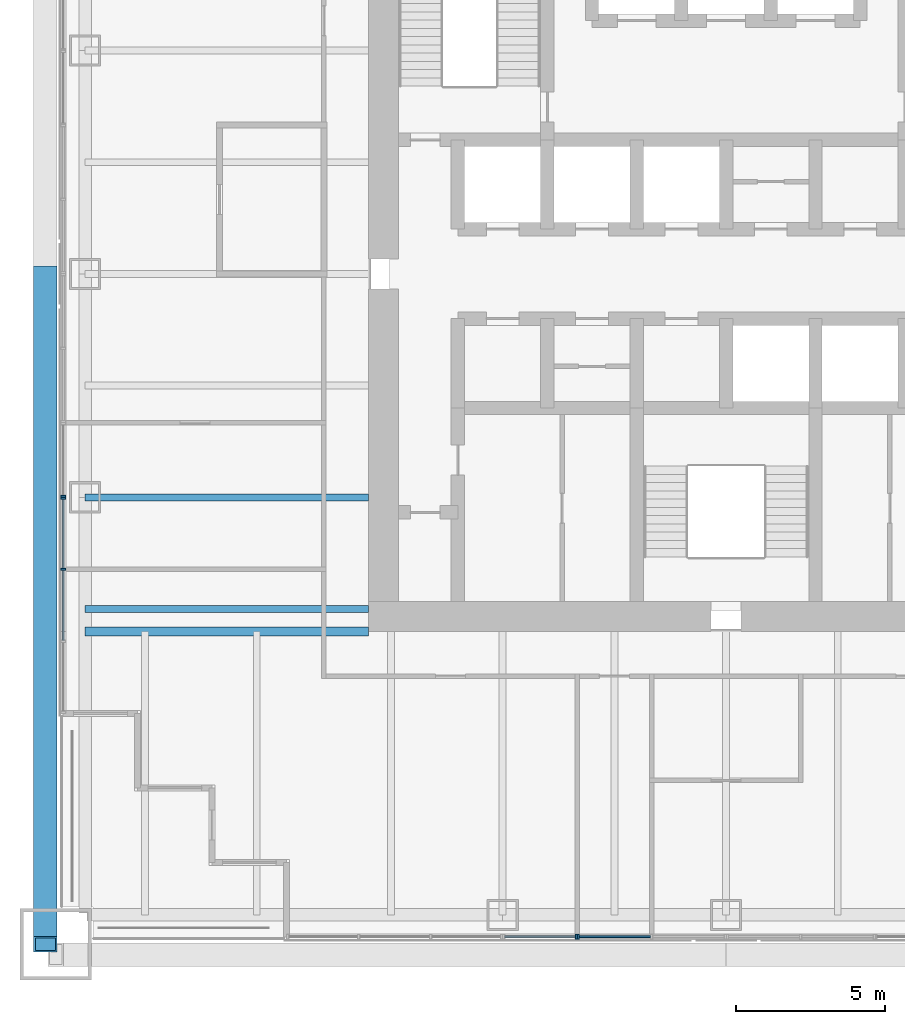
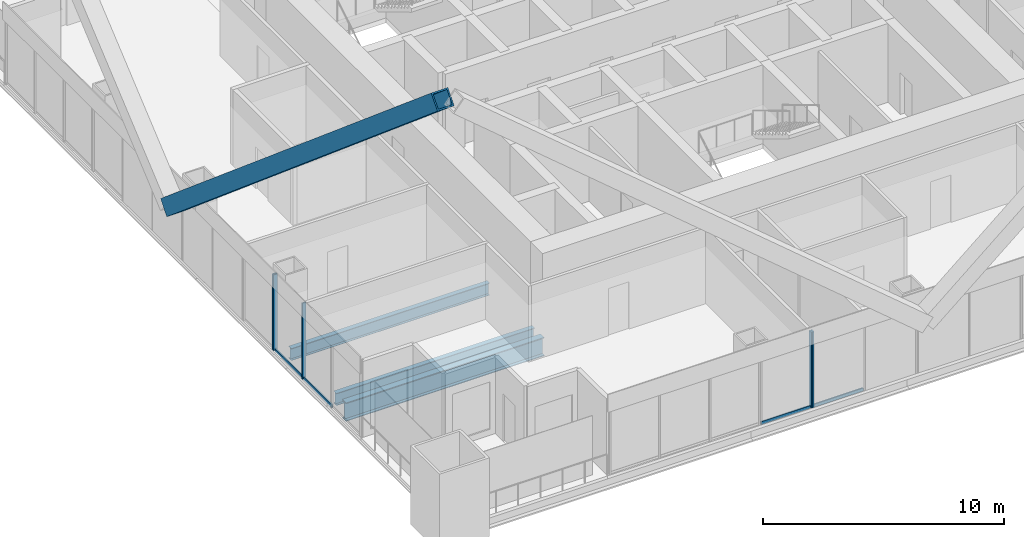
# One storey, part 3 of 19: 10 members, 3 beams, 4 elements without a shape of their own.
"""IFC4 building model written with IfcOpenShell, lengths in metres."""

from ifc_helpers import new_model, si_unit, direction, frame, origin, origin_2d, place, context, subcontext, project, spatial, rectangle, hollow_rectangle, i_section, extrude, material, material_profile, profile_set, type_object, element, aggregate, save


model = new_model("IFC4")

# Units and contexts
model_context = context("Model", 3, precision=1e-05, world=origin(), true_north=direction((0.0, 1.0)))
body_context = subcontext(model_context, "Body", "Model", "MODEL_VIEW")
ifc_project = project(units=[si_unit("LENGTHUNIT", "METRE"), si_unit("AREAUNIT", "SQUARE_METRE"), si_unit("VOLUMEUNIT", "CUBIC_METRE"), si_unit("PLANEANGLEUNIT", "RADIAN"), si_unit("MASSUNIT", "GRAM", prefix="KILO")], contexts=[model_context])

# Site, building, storey
site_placement = place(None, origin())
site = spatial("IfcSite", under=ifc_project, at=site_placement, CompositionType="ELEMENT")
building_placement = place(site_placement, origin())
building = spatial("IfcBuilding", under=site, at=building_placement, Name="Tarangal Relay Tower", CompositionType="ELEMENT")
storey_placement = place(building_placement, frame((0.0, 0.0, 193.89990234375)))
storey = spatial("IfcBuildingStorey", under=building, at=storey_placement, Name="L40", CompositionType="ELEMENT", Elevation=193.89990234375)

# Beams
ifc_material_1 = material(Name="Steel ASTM A992", Category="steel")
ifc_material_profile_1 = material_profile(ifc_material_1, i_section(OverallWidth=0.307373046875, OverallDepth=0.9423828125, WebThickness=0.022216796875, FlangeThickness=0.039794921875, at=origin_2d()), Name="W36X232")
ifc_profile_set_1 = profile_set([ifc_material_profile_1], Name="Steel ASTM A992")
beam_type_1 = type_object("IfcBeamType", Name="Corner girder W36X232", PredefinedType="BEAM", material=ifc_profile_set_1)
beam_placement = place(storey_placement, frame((-12.0, -12.0, -0.62109375), z_axis=(-1.0, 0.0, 0.0), x_axis=(0.0, -1.0, 0.0)))
element("IfcBeam", 1, at=beam_placement, inside=storey, type_object=beam_type_1, Name="Corner girder CG4 S L40", PredefinedType="BEAM", context=body_context, shape_type="SweptSolid", body=[
    extrude(i_section(OverallWidth=0.307373046875, OverallDepth=0.9423828125, WebThickness=0.022216796875, FlangeThickness=0.039794921875, at=origin_2d()), origin(), (0.0, 0.0, 1.0), 9.514892578125),
])
ifc_material_profile_2 = material_profile(ifc_material_1, i_section(OverallWidth=0.22900390625, OverallDepth=0.612060546875, WebThickness=0.011962890625, FlangeThickness=0.01953125, at=origin_2d()), Name="W24X84")
ifc_profile_set_2 = profile_set([ifc_material_profile_2], Name="Steel ASTM A992")
beam_type_2 = type_object("IfcBeamType", Name="Floor beam W24X84", PredefinedType="BEAM", material=ifc_profile_set_2)
for number, where, z_axis, x_axis, name in (
    (2, (-12.0, -11.25, -0.455810546875), (-1.0, 0.0, 0.0), (0.0, -1.0, 0.0), "Floor beam RB12 W L40"),
    (3, (-12.0, -7.5, -0.455810546875), (-1.0, 0.0, 0.0), (0.0, -1.0, 0.0), "Floor beam RB12 W L40"),
):
    element("IfcBeam", number, at=place(storey_placement, frame(where, z_axis=z_axis, x_axis=x_axis)), inside=storey, type_object=beam_type_2, Name=name, PredefinedType="BEAM", context=body_context, shape_type="SweptSolid", body=[
        extrude(i_section(OverallWidth=0.22900390625, OverallDepth=0.612060546875, WebThickness=0.011962890625, FlangeThickness=0.01953125, at=origin_2d()), origin(), (0.0, 0.0, 1.0), 9.514892578125),
    ])

# Member
ifc_material_2 = material(Name="Steel ASTM A572 Grade 50", Category="steel")
ifc_material_profile_3 = material_profile(ifc_material_2, hollow_rectangle(XDim=0.800048828125, YDim=0.800048828125, WallThickness=0.06494140625, at=origin_2d()), Name="BOX800X800X65")
ifc_profile_set_3 = profile_set([ifc_material_profile_3], Name="Steel ASTM A572 Grade 50")
member_type_1 = type_object("IfcMemberType", Name="Mega brace BOX800X800X65", PredefinedType="BRACE", material=ifc_profile_set_3)
member_1_placement = place(storey_placement, frame((-22.85009765625, 0.0, 3.0), z_axis=(0.0, -0.764029915847, 0.645180817826), x_axis=(1.0, 0.0, 0.0)))
element("IfcMember", 4, at=member_1_placement, inside=storey, type_object=member_type_1, Name="Mega brace MB3 W face module 1", PredefinedType="BRACE", context=body_context, shape_type="SweptSolid", body=[
    extrude(hollow_rectangle(XDim=0.800048828125, YDim=0.800048828125, WallThickness=0.06494140625, at=origin_2d()), origin(), (0.0, 0.0, 1.0), 29.44921875),
])

# Curtain wall, member
ifc_material_3 = material(Name="Unitised curtain wall, dark glass and black aluminium", Category="aluminium")
curtain_wall_type_1 = type_object("IfcCurtainWallType", Name="Curtain wall CW-A", PredefinedType="USERDEFINED", material=ifc_material_3)
curtain_wall_1_placement = place(storey_placement, origin())
curtain_wall_1 = element("IfcCurtainWall", 5, at=curtain_wall_1_placement, inside=storey, type_object=curtain_wall_type_1, Name="Curtain wall CW-A S facade L40", ObjectType="UNITISED CURTAIN WALL", PredefinedType="USERDEFINED")
ifc_material_4 = material(Name="Black anodised aluminium mullion", Category="aluminium")
ifc_material_profile_4 = material_profile(ifc_material_4, rectangle(XDim=0.175048828125, YDim=0.06494140625, at=origin_2d()), Name="CW-AM 65X175")
ifc_profile_set_4 = profile_set([ifc_material_profile_4], Name="Black anodised aluminium mullion")
member_type_2 = type_object("IfcMemberType", Name="Mullion CW-A 65 x 175", PredefinedType="MULLION", material=ifc_profile_set_4)
member_2_placement = place(storey_placement, frame((-5.032470703125, -22.25, 0.0), z_axis=(0.0, 0.0, 1.0), x_axis=(0.0, -1.0, 0.0)))
member_2 = element("IfcMember", 6, at=member_2_placement, type_object=member_type_2, Name="CW-A mullion 1", PredefinedType="MULLION", context=body_context, shape_type="SweptSolid", body=[
    extrude(rectangle(XDim=0.175048828125, YDim=0.06494140625, at=origin_2d()), origin(), (0.0, 0.0, 1.0), 3.85009765625),
])

# Curtain wall, members
curtain_wall_2_placement = place(storey_placement, origin())
curtain_wall_2 = element("IfcCurtainWall", 7, at=curtain_wall_2_placement, inside=storey, type_object=curtain_wall_type_1, Name="Curtain wall CW-A W facade L40", ObjectType="UNITISED CURTAIN WALL", PredefinedType="USERDEFINED")
member_3_placement = place(storey_placement, frame((-22.25, -9.916748046875, 0.0), z_axis=(0.0, 0.0, 1.0), x_axis=(-1.0, 0.0, 0.0)))
member_3 = element("IfcMember", 8, at=member_3_placement, type_object=member_type_2, Name="CW-A mullion 3", PredefinedType="MULLION", context=body_context, shape_type="SweptSolid", body=[
    extrude(rectangle(XDim=0.175048828125, YDim=0.06494140625, at=origin_2d()), origin(), (0.0, 0.0, 1.0), 3.85009765625),
])
member_4_placement = place(storey_placement, frame((-22.25, -7.532470703125, 0.0), z_axis=(0.0, 0.0, 1.0), x_axis=(-1.0, 0.0, 0.0)))
member_4 = element("IfcMember", 9, at=member_4_placement, type_object=member_type_2, Name="CW-A mullion 4", PredefinedType="MULLION", context=body_context, shape_type="SweptSolid", body=[
    extrude(rectangle(XDim=0.175048828125, YDim=0.06494140625, at=origin_2d()), origin(), (0.0, 0.0, 1.0), 3.85009765625),
])

# Curtain wall, member
curtain_wall_3_placement = place(storey_placement, origin())
curtain_wall_3 = element("IfcCurtainWall", 10, at=curtain_wall_3_placement, inside=storey, type_object=curtain_wall_type_1, Name="Curtain wall CW-A W facade L40", ObjectType="UNITISED CURTAIN WALL", PredefinedType="USERDEFINED")
member_5_placement = place(storey_placement, frame((-22.25, -7.467529296875, 0.0), z_axis=(0.0, 0.0, 1.0), x_axis=(-1.0, 0.0, 0.0)))
member_5 = element("IfcMember", 11, at=member_5_placement, type_object=member_type_2, Name="CW-A mullion 1", PredefinedType="MULLION", context=body_context, shape_type="SweptSolid", body=[
    extrude(rectangle(XDim=0.175048828125, YDim=0.06494140625, at=origin_2d()), origin(), (0.0, 0.0, 1.0), 3.85009765625),
])
aggregate(curtain_wall_3, [member_5])

ifc_material_5 = material(Name="Unitised curtain wall frame, black aluminium, with metal clad infill walls", Category="aluminium")
curtain_wall_type_2 = type_object("IfcCurtainWallType", Name="Curtain wall CW-AO", PredefinedType="USERDEFINED", material=ifc_material_5)
curtain_wall_4_placement = place(storey_placement, origin())
curtain_wall_4 = element("IfcCurtainWall", 12, at=curtain_wall_4_placement, inside=storey, type_object=curtain_wall_type_2, Name="Curtain wall CW-AO S facade L40", ObjectType="UNITISED CURTAIN WALL", PredefinedType="USERDEFINED")
ifc_material_profile_5 = material_profile(ifc_material_4, rectangle(XDim=0.175048828125, YDim=0.06494140625, at=origin_2d()), Name="CW-AOM 65X175")
ifc_profile_set_5 = profile_set([ifc_material_profile_5], Name="Black anodised aluminium mullion")
member_type_3 = type_object("IfcMemberType", Name="Mullion CW-AO 65 x 175", PredefinedType="MULLION", material=ifc_profile_set_5)
member_6_placement = place(storey_placement, frame((-4.967529296875, -22.25, 0.0), z_axis=(0.0, 0.0, 1.0), x_axis=(0.0, -1.0, 0.0)))
member_6 = element("IfcMember", 13, at=member_6_placement, type_object=member_type_3, Name="CW-AO mullion 3", PredefinedType="MULLION", context=body_context, shape_type="SweptSolid", body=[
    extrude(rectangle(XDim=0.175048828125, YDim=0.06494140625, at=origin_2d()), origin(), (0.0, 0.0, 1.0), 3.85009765625),
])

# Member
ifc_material_6 = material(Name="Black anodised aluminium transom", Category="aluminium")
ifc_material_profile_6 = material_profile(ifc_material_6, rectangle(XDim=0.06494140625, YDim=0.14990234375, at=origin_2d()), Name="CW-AT 65X150")
ifc_profile_set_6 = profile_set([ifc_material_profile_6], Name="Black anodised aluminium transom")
member_type_4 = type_object("IfcMemberType", Name="Transom CW-A 65 x 150", PredefinedType="USERDEFINED", material=ifc_profile_set_6)
member_7_placement = place(storey_placement, frame((-5.06494140625, -22.25, 0.03271484375), z_axis=(-1.0, 0.0, 0.0), x_axis=(0.0, -1.0, 0.0)))
member_7 = element("IfcMember", 14, at=member_7_placement, type_object=member_type_4, Name="CW-A transom 1.1", ObjectType="TRANSOM", PredefinedType="USERDEFINED", context=body_context, shape_type="SweptSolid", body=[
    extrude(rectangle(XDim=0.06494140625, YDim=0.14990234375, at=origin_2d()), origin(), (0.0, 0.0, 1.0), 2.3701171875),
])

aggregate(curtain_wall_1, [member_2, member_7])

member_8_placement = place(storey_placement, frame((-22.25, -12.30078125, 0.03271484375), z_axis=(0.0, 1.0, 0.0), x_axis=(-1.0, 0.0, 0.0)))
member_8 = element("IfcMember", 15, at=member_8_placement, type_object=member_type_4, Name="CW-A transom 2.1", ObjectType="TRANSOM", PredefinedType="USERDEFINED", context=body_context, shape_type="SweptSolid", body=[
    extrude(rectangle(XDim=0.06494140625, YDim=0.14990234375, at=origin_2d()), origin(), (0.0, 0.0, 1.0), 2.3515625),
])

member_9_placement = place(storey_placement, frame((-22.25, -9.88427734375, 0.03271484375), z_axis=(0.0, 1.0, 0.0), x_axis=(-1.0, 0.0, 0.0)))
member_9 = element("IfcMember", 16, at=member_9_placement, type_object=member_type_4, Name="CW-A transom 3.1", ObjectType="TRANSOM", PredefinedType="USERDEFINED", context=body_context, shape_type="SweptSolid", body=[
    extrude(rectangle(XDim=0.06494140625, YDim=0.14990234375, at=origin_2d()), origin(), (0.0, 0.0, 1.0), 2.3193359375),
])

aggregate(curtain_wall_2, [member_3, member_4, member_8, member_9])

ifc_material_profile_7 = material_profile(ifc_material_6, rectangle(XDim=0.06494140625, YDim=0.14990234375, at=origin_2d()), Name="CW-AOT 65X150")
ifc_profile_set_7 = profile_set([ifc_material_profile_7], Name="Black anodised aluminium transom")
member_type_5 = type_object("IfcMemberType", Name="Transom CW-AO 65 x 150", PredefinedType="USERDEFINED", material=ifc_profile_set_7)
member_10_placement = place(storey_placement, frame((-2.532470703125, -22.25, 0.03271484375), z_axis=(-1.0, 0.0, 0.0), x_axis=(0.0, -1.0, 0.0)))
member_10 = element("IfcMember", 17, at=member_10_placement, type_object=member_type_5, Name="CW-AO transom 2.1", ObjectType="TRANSOM", PredefinedType="USERDEFINED", context=body_context, shape_type="SweptSolid", body=[
    extrude(rectangle(XDim=0.06494140625, YDim=0.14990234375, at=origin_2d()), origin(), (0.0, 0.0, 1.0), 2.402587890625),
])

aggregate(curtain_wall_4, [member_6, member_10])

save(model, "model.ifc")
